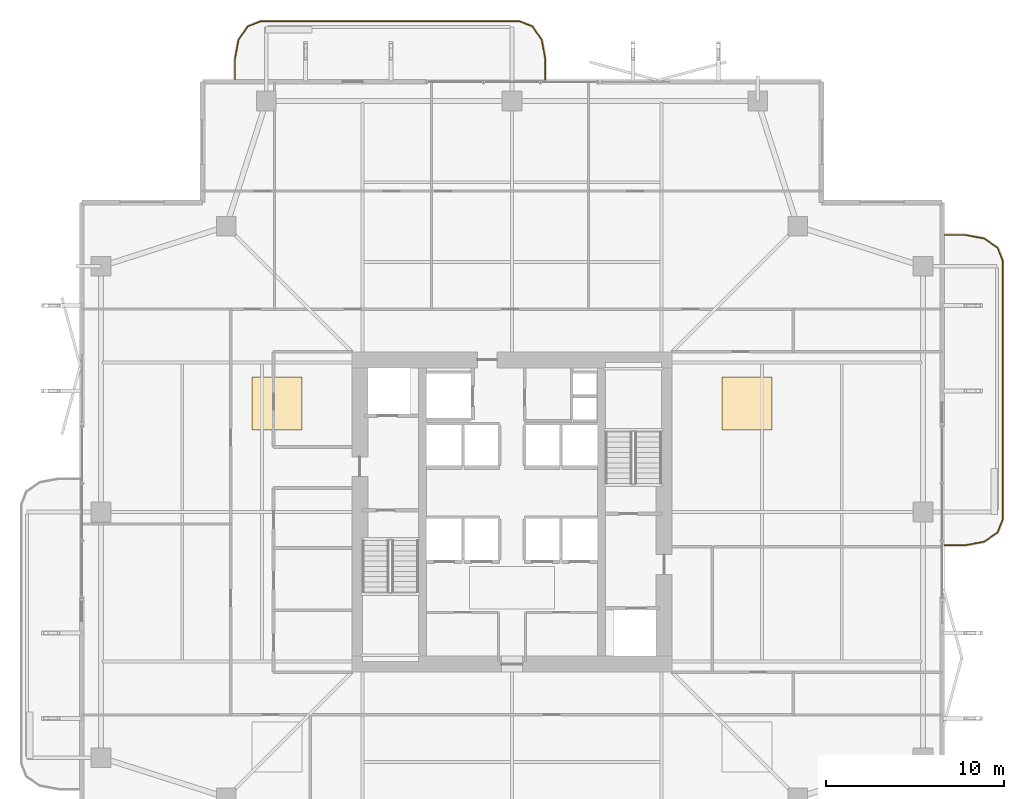
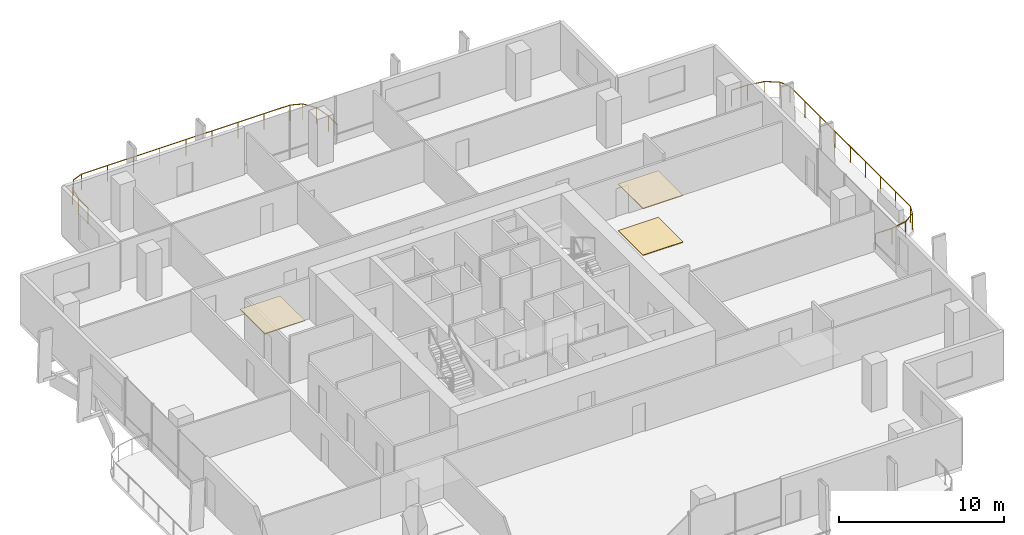
# One storey, part 24 of 24: 3 coverings, 2 railings.
"""IFC4 building model written with IfcOpenShell, lengths in metres."""

from ifc_helpers import new_model, si_unit, direction, frame, origin, origin_2d, place, context, subcontext, project, spatial, polyline, rectangle, outline, extrude, material, layer, layer_set, type_object, element, save


model = new_model("IFC4")

# Units and contexts
model_context = context("Model", 3, precision=1e-05, world=origin(), true_north=direction((0.0, 1.0)))
body_context = subcontext(model_context, "Body", "Model", "MODEL_VIEW")
ifc_project = project(units=[si_unit("LENGTHUNIT", "METRE"), si_unit("AREAUNIT", "SQUARE_METRE"), si_unit("VOLUMEUNIT", "CUBIC_METRE"), si_unit("PLANEANGLEUNIT", "RADIAN"), si_unit("MASSUNIT", "GRAM", prefix="KILO")], contexts=[model_context])

# Site, building, storey
site_placement = place(None, origin())
site = spatial("IfcSite", under=ifc_project, at=site_placement, CompositionType="ELEMENT")
building_placement = place(site_placement, origin())
building = spatial("IfcBuilding", under=site, at=building_placement, Name="Belovzor Exchange Tower", CompositionType="ELEMENT")
storey_placement = place(building_placement, frame((0.0, 0.0, 145.800048828125)))
storey = spatial("IfcBuildingStorey", under=building, at=storey_placement, Name="L35", CompositionType="ELEMENT", Elevation=145.800048828125)

# Railings
ifc_material_1 = material(Name="Stainless Steel and Laminated Safety Glass", Category="steel")
railing_type = type_object("IfcRailingType", Name="Laminated Glass & Stainless Steel Balcony Balustrade 1200", PredefinedType="BALUSTRADE", material=ifc_material_1)
railing_1_placement = place(storey_placement, frame((30.669921875, 53.110107421875, 0.0)))
element("IfcRailing", 1, at=railing_1_placement, inside=storey, type_object=railing_type, Name="GR-1 Balcony Balustrade L35 North", PredefinedType="BALUSTRADE", context=body_context, shape_type="SweptSolid", body=[
    extrude(rectangle(XDim=0.048095703125, YDim=0.048095703125, at=origin_2d()), frame((0.0, 0.0, 1.17578125), z_axis=(0.0, 1.0, 0.0), x_axis=(-1.0, 0.0, 0.0)), (0.0, 0.0, 1.0), 1.1328125),
    extrude(rectangle(XDim=0.048095703125, YDim=0.048095703125, at=origin_2d()), frame((0.0, 1.1328125, 1.17578125), z_axis=(-0.180083182347, 0.983651385113, 0.0), x_axis=(-0.983651385113, -0.180083182347, 0.0)), (0.0, 0.0, 1.0), 1.093994140625),
    extrude(rectangle(XDim=0.048095703125, YDim=0.048095703125, at=origin_2d()), frame((-0.197021484375, 2.208984375, 1.17578125), z_axis=(-0.562768145367, 0.826614792125, 0.0), x_axis=(-0.826614792125, -0.562768145367, 0.0)), (0.0, 0.0, 1.0), 0.9326171875),
    extrude(rectangle(XDim=0.048095703125, YDim=0.048095703125, at=origin_2d()), frame((-0.721923828125, 2.97998046875, 1.17578125), z_axis=(-0.930766990125, 0.365612923861, 0.0), x_axis=(-0.365612923861, -0.930766990125, 0.0)), (0.0, 0.0, 1.0), 0.765869140625),
    extrude(rectangle(XDim=0.048095703125, YDim=0.048095703125, at=origin_2d()), frame((-1.434814453125, 3.260009765625, 1.17578125), z_axis=(-1.0, 0.0, 0.0), x_axis=(0.0, -1.0, 0.0)), (0.0, 0.0, 1.0), 14.570068359375),
    extrude(rectangle(XDim=0.048095703125, YDim=0.048095703125, at=origin_2d()), frame((-16.0048828125, 3.260009765625, 1.17578125), z_axis=(-0.930809580156, -0.365504480807, 0.0), x_axis=(0.365504480807, -0.930809580156, 0.0)), (0.0, 0.0, 1.0), 0.76611328125),
    extrude(rectangle(XDim=0.048095703125, YDim=0.048095703125, at=origin_2d()), frame((-16.718017578125, 2.97998046875, 1.17578125), z_axis=(-0.562768145367, -0.826614792125, 0.0), x_axis=(0.826614792125, -0.562768145367, 0.0)), (0.0, 0.0, 1.0), 0.9326171875),
    extrude(rectangle(XDim=0.048095703125, YDim=0.048095703125, at=origin_2d()), frame((-17.242919921875, 2.208984375, 1.17578125), z_axis=(-0.180083182347, -0.983651385113, 0.0), x_axis=(0.983651385113, -0.180083182347, 0.0)), (0.0, 0.0, 1.0), 1.093994140625),
    extrude(rectangle(XDim=0.048095703125, YDim=0.048095703125, at=origin_2d()), frame((-17.43994140625, 1.1328125, 1.17578125), z_axis=(0.0, -1.0, 0.0), x_axis=(1.0, 0.0, 0.0)), (0.0, 0.0, 1.0), 1.1328125),
    extrude(rectangle(XDim=0.0419921875, YDim=0.0419921875, at=origin_2d()), origin(), (0.0, 0.0, 1.0), 1.15185546875),
    extrude(rectangle(XDim=0.0419921875, YDim=0.0419921875, at=origin_2d()), frame((0.0, 1.1328125, 0.0)), (0.0, 0.0, 1.0), 1.15185546875),
    extrude(rectangle(XDim=0.0419921875, YDim=0.0419921875, at=origin_2d()), frame((-0.197021484375, 2.208984375, 0.0)), (0.0, 0.0, 1.0), 1.15185546875),
    extrude(rectangle(XDim=0.0419921875, YDim=0.0419921875, at=origin_2d()), frame((-0.721923828125, 2.97998046875, 0.0)), (0.0, 0.0, 1.0), 1.15185546875),
    extrude(rectangle(XDim=0.0419921875, YDim=0.0419921875, at=origin_2d()), frame((-1.434814453125, 3.260009765625, 0.0)), (0.0, 0.0, 1.0), 1.15185546875),
    extrude(rectangle(XDim=0.0419921875, YDim=0.0419921875, at=origin_2d()), frame((-3.256103515625, 3.260009765625, 0.0)), (0.0, 0.0, 1.0), 1.15185546875),
    extrude(rectangle(XDim=0.0419921875, YDim=0.0419921875, at=origin_2d()), frame((-5.077392578125, 3.260009765625, 0.0)), (0.0, 0.0, 1.0), 1.15185546875),
    extrude(rectangle(XDim=0.0419921875, YDim=0.0419921875, at=origin_2d()), frame((-6.898681640625, 3.260009765625, 0.0)), (0.0, 0.0, 1.0), 1.15185546875),
    extrude(rectangle(XDim=0.0419921875, YDim=0.0419921875, at=origin_2d()), frame((-8.7197265625, 3.260009765625, 0.0)), (0.0, 0.0, 1.0), 1.15185546875),
    extrude(rectangle(XDim=0.0419921875, YDim=0.0419921875, at=origin_2d()), frame((-10.541015625, 3.260009765625, 0.0)), (0.0, 0.0, 1.0), 1.15185546875),
    extrude(rectangle(XDim=0.0419921875, YDim=0.0419921875, at=origin_2d()), frame((-12.3623046875, 3.260009765625, 0.0)), (0.0, 0.0, 1.0), 1.15185546875),
    extrude(rectangle(XDim=0.0419921875, YDim=0.0419921875, at=origin_2d()), frame((-14.18359375, 3.260009765625, 0.0)), (0.0, 0.0, 1.0), 1.15185546875),
    extrude(rectangle(XDim=0.0419921875, YDim=0.0419921875, at=origin_2d()), frame((-16.0048828125, 3.260009765625, 0.0)), (0.0, 0.0, 1.0), 1.15185546875),
    extrude(rectangle(XDim=0.0419921875, YDim=0.0419921875, at=origin_2d()), frame((-16.718017578125, 2.97998046875, 0.0)), (0.0, 0.0, 1.0), 1.15185546875),
    extrude(rectangle(XDim=0.0419921875, YDim=0.0419921875, at=origin_2d()), frame((-17.242919921875, 2.208984375, 0.0)), (0.0, 0.0, 1.0), 1.15185546875),
    extrude(rectangle(XDim=0.0419921875, YDim=0.0419921875, at=origin_2d()), frame((-17.43994140625, 1.1328125, 0.0)), (0.0, 0.0, 1.0), 1.15185546875),
    extrude(rectangle(XDim=0.0419921875, YDim=0.0419921875, at=origin_2d()), frame((-17.43994140625, 0.0, 0.0)), (0.0, 0.0, 1.0), 1.15185546875),
])
railing_2_placement = place(storey_placement, frame((53.110107421875, 26.929931640625, 0.0)))
element("IfcRailing", 2, at=railing_2_placement, inside=storey, type_object=railing_type, Name="GR-1 Balcony Balustrade L35 East", PredefinedType="BALUSTRADE", context=body_context, shape_type="SweptSolid", body=[
    extrude(rectangle(XDim=0.048095703125, YDim=0.048095703125, at=origin_2d()), frame((0.0, 0.0, 1.17578125), z_axis=(1.0, 0.0, 0.0), x_axis=(0.0, 1.0, 0.0)), (0.0, 0.0, 1.0), 1.1328125),
    extrude(rectangle(XDim=0.048095703125, YDim=0.048095703125, at=origin_2d()), frame((1.1328125, 0.0, 1.17578125), z_axis=(0.983651385113, 0.180083182347, 0.0), x_axis=(-0.180083182347, 0.983651385113, 0.0)), (0.0, 0.0, 1.0), 1.093994140625),
    extrude(rectangle(XDim=0.048095703125, YDim=0.048095703125, at=origin_2d()), frame((2.208984375, 0.197021484375, 1.17578125), z_axis=(0.826493025367, 0.56294695933, 0.0), x_axis=(-0.56294695933, 0.826493025367, 0.0)), (0.0, 0.0, 1.0), 0.932861328125),
    extrude(rectangle(XDim=0.048095703125, YDim=0.048095703125, at=origin_2d()), frame((2.97998046875, 0.72216796875, 1.17578125), z_axis=(0.365612923861, 0.930766990125, 0.0), x_axis=(-0.930766990125, 0.365612923861, 0.0)), (0.0, 0.0, 1.0), 0.765869140625),
    extrude(rectangle(XDim=0.048095703125, YDim=0.048095703125, at=origin_2d()), frame((3.260009765625, 1.43505859375, 1.17578125), z_axis=(0.0, 1.0, 0.0), x_axis=(-1.0, 0.0, 0.0)), (0.0, 0.0, 1.0), 14.570068359375),
    extrude(rectangle(XDim=0.048095703125, YDim=0.048095703125, at=origin_2d()), frame((3.260009765625, 16.005126953125, 1.17578125), z_axis=(-0.365612923861, 0.930766990125, 0.0), x_axis=(-0.930766990125, -0.365612923861, 0.0)), (0.0, 0.0, 1.0), 0.765869140625),
    extrude(rectangle(XDim=0.048095703125, YDim=0.048095703125, at=origin_2d()), frame((2.97998046875, 16.718017578125, 1.17578125), z_axis=(-0.826493025367, 0.56294695933, 0.0), x_axis=(-0.56294695933, -0.826493025367, 0.0)), (0.0, 0.0, 1.0), 0.932861328125),
    extrude(rectangle(XDim=0.048095703125, YDim=0.048095703125, at=origin_2d()), frame((2.208984375, 17.2431640625, 1.17578125), z_axis=(-0.983651385113, 0.180083182347, 0.0), x_axis=(-0.180083182347, -0.983651385113, 0.0)), (0.0, 0.0, 1.0), 1.093994140625),
    extrude(rectangle(XDim=0.048095703125, YDim=0.048095703125, at=origin_2d()), frame((1.1328125, 17.440185546875, 1.17578125), z_axis=(-1.0, 0.0, 0.0), x_axis=(0.0, -1.0, 0.0)), (0.0, 0.0, 1.0), 1.1328125),
    extrude(rectangle(XDim=0.0419921875, YDim=0.0419921875, at=origin_2d()), origin(), (0.0, 0.0, 1.0), 1.15185546875),
    extrude(rectangle(XDim=0.0419921875, YDim=0.0419921875, at=origin_2d()), frame((1.1328125, 0.0, 0.0)), (0.0, 0.0, 1.0), 1.15185546875),
    extrude(rectangle(XDim=0.0419921875, YDim=0.0419921875, at=origin_2d()), frame((2.208984375, 0.197021484375, 0.0)), (0.0, 0.0, 1.0), 1.15185546875),
    extrude(rectangle(XDim=0.0419921875, YDim=0.0419921875, at=origin_2d()), frame((2.97998046875, 0.72216796875, 0.0)), (0.0, 0.0, 1.0), 1.15185546875),
    extrude(rectangle(XDim=0.0419921875, YDim=0.0419921875, at=origin_2d()), frame((3.260009765625, 1.43505859375, 0.0)), (0.0, 0.0, 1.0), 1.15185546875),
    extrude(rectangle(XDim=0.0419921875, YDim=0.0419921875, at=origin_2d()), frame((3.260009765625, 3.25634765625, 0.0)), (0.0, 0.0, 1.0), 1.15185546875),
    extrude(rectangle(XDim=0.0419921875, YDim=0.0419921875, at=origin_2d()), frame((3.260009765625, 5.07763671875, 0.0)), (0.0, 0.0, 1.0), 1.15185546875),
    extrude(rectangle(XDim=0.0419921875, YDim=0.0419921875, at=origin_2d()), frame((3.260009765625, 6.89892578125, 0.0)), (0.0, 0.0, 1.0), 1.15185546875),
    extrude(rectangle(XDim=0.0419921875, YDim=0.0419921875, at=origin_2d()), frame((3.260009765625, 8.72021484375, 0.0)), (0.0, 0.0, 1.0), 1.15185546875),
    extrude(rectangle(XDim=0.0419921875, YDim=0.0419921875, at=origin_2d()), frame((3.260009765625, 10.541259765625, 0.0)), (0.0, 0.0, 1.0), 1.15185546875),
    extrude(rectangle(XDim=0.0419921875, YDim=0.0419921875, at=origin_2d()), frame((3.260009765625, 12.362548828125, 0.0)), (0.0, 0.0, 1.0), 1.15185546875),
    extrude(rectangle(XDim=0.0419921875, YDim=0.0419921875, at=origin_2d()), frame((3.260009765625, 14.183837890625, 0.0)), (0.0, 0.0, 1.0), 1.15185546875),
    extrude(rectangle(XDim=0.0419921875, YDim=0.0419921875, at=origin_2d()), frame((3.260009765625, 16.005126953125, 0.0)), (0.0, 0.0, 1.0), 1.15185546875),
    extrude(rectangle(XDim=0.0419921875, YDim=0.0419921875, at=origin_2d()), frame((2.97998046875, 16.718017578125, 0.0)), (0.0, 0.0, 1.0), 1.15185546875),
    extrude(rectangle(XDim=0.0419921875, YDim=0.0419921875, at=origin_2d()), frame((2.208984375, 17.2431640625, 0.0)), (0.0, 0.0, 1.0), 1.15185546875),
    extrude(rectangle(XDim=0.0419921875, YDim=0.0419921875, at=origin_2d()), frame((1.1328125, 17.440185546875, 0.0)), (0.0, 0.0, 1.0), 1.15185546875),
    extrude(rectangle(XDim=0.0419921875, YDim=0.0419921875, at=origin_2d()), frame((0.0, 17.440185546875, 0.0)), (0.0, 0.0, 1.0), 1.15185546875),
])

# Coverings
ifc_material_2 = material(Name="Perforated Powder-Coated Aluminium", Category="aluminium")
ifc_layer_1 = layer(ifc_material_2, 0.06005859375)
ifc_layer_set_1 = layer_set([ifc_layer_1], Name="Perforated Powder-Coated Aluminium")
covering_type_1 = type_object("IfcCoveringType", Name="Perforated Acoustic Metal Tile Suspended Ceiling 60", PredefinedType="CEILING", material=ifc_layer_set_1)
covering_1_placement = place(storey_placement, frame((0.0, 0.0, 3.43505859375)))
element("IfcCovering", 3, at=covering_1_placement, inside=storey, type_object=covering_type_1, Name="CLG-AC60 Suspended Ceiling CLG-L35-Z2", PredefinedType="CEILING", context=body_context, shape_type="SweptSolid", body=[
    extrude(outline(polyline([(40.60009765625, 33.39990234375), (43.39990234375, 33.39990234375), (43.39990234375, 36.39990234375), (40.60009765625, 36.39990234375), (40.60009765625, 33.39990234375)])), origin(), (0.0, 0.0, 1.0), 0.059814453125),
])
covering_2_placement = place(storey_placement, frame((0.0, 0.0, 3.43505859375)))
element("IfcCovering", 4, at=covering_2_placement, inside=storey, type_object=covering_type_1, Name="CLG-AC60 Suspended Ceiling CLG-L35-Z3", PredefinedType="CEILING", context=body_context, shape_type="SweptSolid", body=[
    extrude(outline(polyline([(14.199951171875, 33.39990234375), (17.0, 33.39990234375), (17.0, 36.39990234375), (14.199951171875, 36.39990234375), (14.199951171875, 33.39990234375)])), origin(), (0.0, 0.0, 1.0), 0.059814453125),
])
ifc_material_3 = material(Name="Polished Natural Granite Tile", Category="masonry")
ifc_layer_2 = layer(ifc_material_3, 0.050048828125)
ifc_layer_set_2 = layer_set([ifc_layer_2], Name="Polished Natural Granite Tile")
covering_type_2 = type_object("IfcCoveringType", Name="Polished Karelian Granite & Raised Access Floor Finish 50", PredefinedType="FLOORING", material=ifc_layer_set_2)
covering_3_placement = place(storey_placement, origin())
element("IfcCovering", 5, at=covering_3_placement, inside=storey, type_object=covering_type_2, Name="FLR-GR50 Floor Finish FLR-L35-Z2", PredefinedType="FLOORING", context=body_context, shape_type="SweptSolid", body=[
    extrude(outline(polyline([(40.60009765625, 33.39990234375), (43.39990234375, 33.39990234375), (43.39990234375, 36.39990234375), (40.60009765625, 36.39990234375), (40.60009765625, 33.39990234375)])), origin(), (0.0, 0.0, 1.0), 0.050048828125),
])

save(model, "model.ifc")
